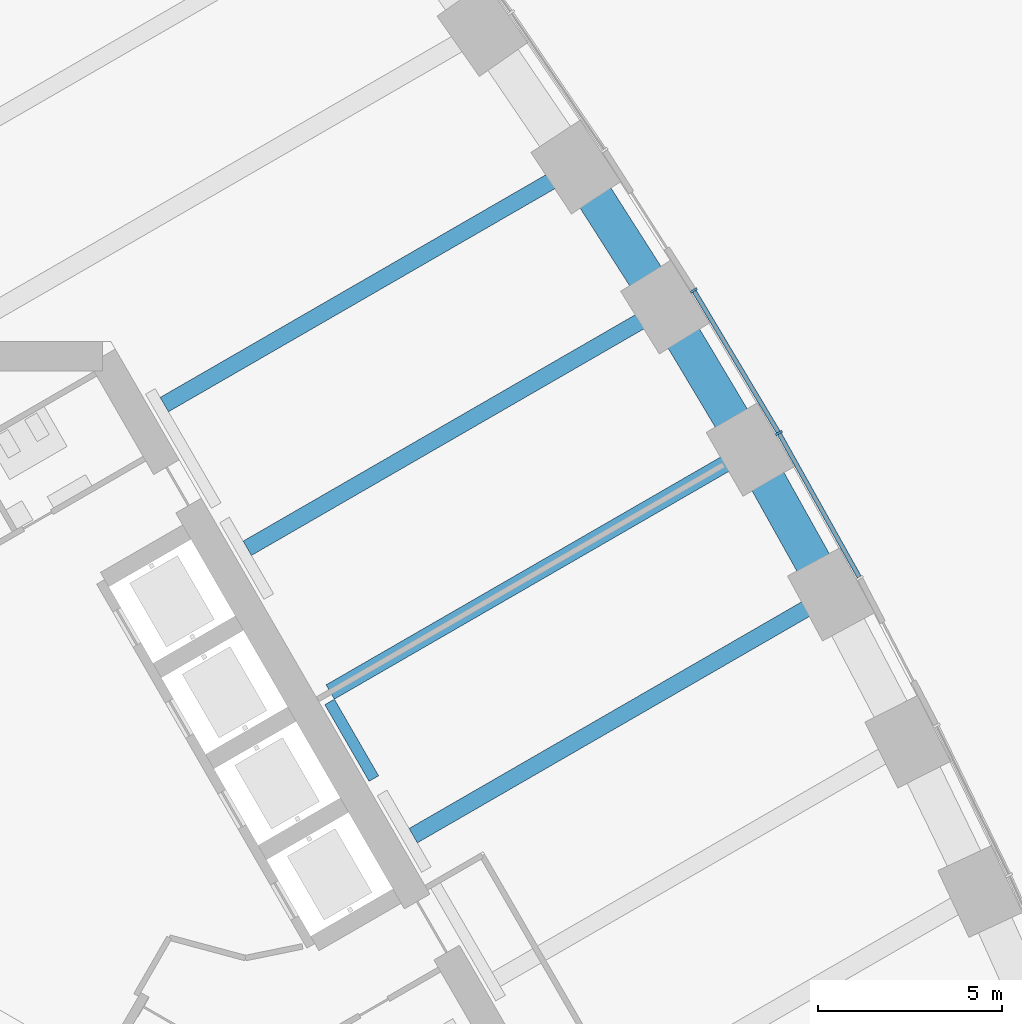
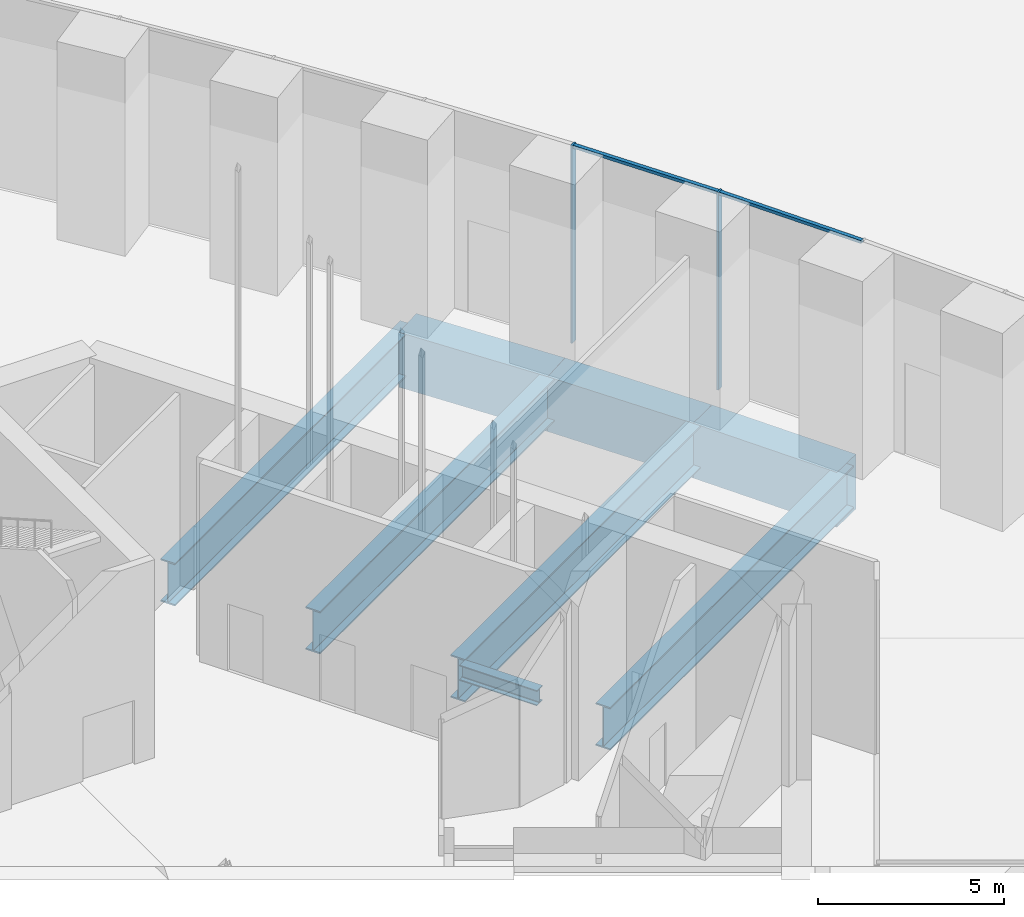
# One storey, part 9 of 43: 8 beams, 4 members, 1 element without a shape of its own.
"""IFC4 building model written with IfcOpenShell, lengths in metres."""

from ifc_helpers import new_model, si_unit, direction, frame, origin, origin_2d, place, context, subcontext, project, spatial, rectangle, i_section, extrude, material, material_profile, profile_set, type_object, element, aggregate, save


model = new_model("IFC4")

# Units and contexts
model_context = context("Model", 3, precision=1e-05, world=origin(), true_north=direction((0.0, 1.0)))
body_context = subcontext(model_context, "Body", "Model", "MODEL_VIEW")
ifc_project = project(units=[si_unit("LENGTHUNIT", "METRE"), si_unit("AREAUNIT", "SQUARE_METRE"), si_unit("VOLUMEUNIT", "CUBIC_METRE"), si_unit("PLANEANGLEUNIT", "RADIAN"), si_unit("MASSUNIT", "GRAM", prefix="KILO")], contexts=[model_context])

# Site, building, storey
site_placement = place(None, origin())
site = spatial("IfcSite", under=ifc_project, at=site_placement, CompositionType="ELEMENT")
building_placement = place(site_placement, origin())
building = spatial("IfcBuilding", under=site, at=building_placement, Name="Trefoil Bronze Tower", CompositionType="ELEMENT")
storey_placement = place(building_placement, origin())
storey = spatial("IfcBuildingStorey", under=building, at=storey_placement, Name="L00", CompositionType="ELEMENT", Elevation=0.0)

# Curtain wall, members
ifc_material_1 = material(Name="Tinted solar-control glass", Category="glass")
curtain_wall_type = type_object("IfcCurtainWallType", Name="Bronze podium storefront curtain wall", PredefinedType="USERDEFINED", material=ifc_material_1)
curtain_wall_placement = place(storey_placement, origin())
curtain_wall = element("IfcCurtainWall", 1, at=curtain_wall_placement, inside=storey, type_object=curtain_wall_type, Name="CW-C L00 F2 run 3", ObjectType="CURTAIN WALL", PredefinedType="USERDEFINED")
ifc_material_2 = material(Name="Bronze-finish aluminium", Category="aluminium")
ifc_material_profile_1 = material_profile(ifc_material_2, rectangle(XDim=0.199951171875, YDim=0.06005859375, at=origin_2d()), Name="CW-C mullion")
ifc_profile_set_1 = profile_set([ifc_material_profile_1], Name="Bronze-finish aluminium")
member_type_1 = type_object("IfcMemberType", Name="Bronze podium storefront curtain wall mullion", PredefinedType="MULLION", material=ifc_profile_set_1)
member_1_placement = place(storey_placement, frame((24.11767578125, 13.92431640625, 0.0), z_axis=(0.0, 0.0, 1.0), x_axis=(-0.866025403784, -0.5, 0.0)))
member_1 = element("IfcMember", 2, at=member_1_placement, type_object=member_type_1, Name="CW-C L00 F2 run 3 mullion 2", PredefinedType="MULLION", context=body_context, shape_type="SweptSolid", body=[
    extrude(rectangle(XDim=0.199951171875, YDim=0.06005859375, at=origin_2d()), origin(), (0.0, 0.0, 1.0), 6.47998046875),
])
member_2_placement = place(storey_placement, frame((21.810302734375, 17.7900390625, 0.0), z_axis=(0.0, 0.0, 1.0), x_axis=(-0.858679588639, -0.51251279404, 0.0)))
member_2 = element("IfcMember", 3, at=member_2_placement, type_object=member_type_1, Name="CW-C L00 F2 run 3 mullion 3", PredefinedType="MULLION", context=body_context, shape_type="SweptSolid", body=[
    extrude(rectangle(XDim=0.199951171875, YDim=0.06005859375, at=origin_2d()), origin(), (0.0, 0.0, 1.0), 6.47998046875),
])
ifc_material_3 = material(Name="Bronze-finish aluminium", Category="aluminium")
ifc_material_profile_2 = material_profile(ifc_material_3, rectangle(XDim=0.1201171875, YDim=0.10009765625, at=origin_2d()), Name="CW-C transom")
ifc_profile_set_2 = profile_set([ifc_material_profile_2], Name="Bronze-finish aluminium")
member_type_2 = type_object("IfcMemberType", Name="Bronze podium storefront curtain wall transom", PredefinedType="USERDEFINED", material=ifc_profile_set_2)
member_3_placement = place(storey_placement, frame((26.297119140625, 10.01953125, 6.429931640625), z_axis=(-0.487350560486, 0.873206408127, 0.0), x_axis=(-0.873206408127, -0.487350560486, 0.0)))
member_3 = element("IfcMember", 4, at=member_3_placement, type_object=member_type_2, Name="CW-C L00 F2 run 3 transom 1", ObjectType="TRANSOM", PredefinedType="USERDEFINED", context=body_context, shape_type="SweptSolid", body=[
    extrude(rectangle(XDim=0.1201171875, YDim=0.10009765625, at=origin_2d()), origin(), (0.0, 0.0, 1.0), 4.4404296875),
])
member_4_placement = place(storey_placement, frame((24.1015625, 13.951416015625, 6.429931640625), z_axis=(-0.512521589617, 0.858674338837, 0.0), x_axis=(-0.858674338837, -0.512521589617, 0.0)))
member_4 = element("IfcMember", 5, at=member_4_placement, type_object=member_type_2, Name="CW-C L00 F2 run 3 transom 2", ObjectType="TRANSOM", PredefinedType="USERDEFINED", context=body_context, shape_type="SweptSolid", body=[
    extrude(rectangle(XDim=0.1201171875, YDim=0.10009765625, at=origin_2d()), origin(), (0.0, 0.0, 1.0), 4.440673828125),
])
aggregate(curtain_wall, [member_1, member_2, member_3, member_4])

# Beams
ifc_material_4 = material(Name="Steel C355", Category="steel")
ifc_material_profile_3 = material_profile(ifc_material_4, i_section(OverallWidth=0.300048828125, OverallDepth=0.5, WebThickness=0.014404296875, FlangeThickness=0.028076171875, FilletRadius=0.027099609375, at=origin_2d()), Name="HEB 500")
ifc_profile_set_3 = profile_set([ifc_material_profile_3], Name="Steel C355")
beam_type_1 = type_object("IfcBeamType", Name="Core seat beam HEB 500", PredefinedType="BEAM", material=ifc_profile_set_3)
beam_1_placement = place(storey_placement, frame((13.1337890625, 4.5517578125, -0.550048828125), z_axis=(-0.500001309137, 0.866024647952, 0.0), x_axis=(-0.866024647952, -0.500001309137, 0.0)))
element("IfcBeam", 6, at=beam_1_placement, inside=storey, type_object=beam_type_1, Name="Core seat beam F2/+0 L00", PredefinedType="BEAM", context=body_context, shape_type="SweptSolid", body=[
    extrude(i_section(OverallWidth=0.300048828125, OverallDepth=0.5, WebThickness=0.014404296875, FlangeThickness=0.028076171875, FilletRadius=0.027099609375, at=origin_2d()), origin(), (0.0, 0.0, 1.0), 2.39990234375),
])
ifc_material_5 = material(Name="Steel C355", Category="steel")
ifc_material_profile_4 = material_profile(ifc_material_5, i_section(OverallWidth=0.449951171875, OverallDepth=1.39990234375, WebThickness=0.02294921875, FlangeThickness=0.044921875, FilletRadius=0.011962890625, at=origin_2d()), Name="WPG 1400")
ifc_profile_set_4 = profile_set([ifc_material_profile_4], Name="Steel C355")
beam_type_2 = type_object("IfcBeamType", Name="Floor beam WPG 1400", PredefinedType="BEAM", material=ifc_profile_set_4)
beam_2_placement = place(storey_placement, frame((25.531494140625, 9.54443359375, -1.0), z_axis=(-0.866027412898, -0.499996520097, 0.0), x_axis=(0.499996520097, -0.866027412898, 0.0)))
element("IfcBeam", 7, at=beam_2_placement, inside=storey, type_object=beam_type_2, Name="Floor beam F2/-1 L00", PredefinedType="BEAM", context=body_context, shape_type="SweptSolid", body=[
    extrude(i_section(OverallWidth=0.449951171875, OverallDepth=1.39990234375, WebThickness=0.02294921875, FlangeThickness=0.044921875, FilletRadius=0.011962890625, at=origin_2d()), origin(), (0.0, 0.0, 1.0), 13.0830078125),
])
beam_3_placement = place(storey_placement, frame((23.33837890625, 13.474365234375, -1.0), z_axis=(-0.866023564685, -0.5000031854, 0.0), x_axis=(0.5000031854, -0.866023564685, 0.0)))
element("IfcBeam", 8, at=beam_3_placement, inside=storey, type_object=beam_type_2, Name="Floor beam F2/+0 L00", PredefinedType="BEAM", context=body_context, shape_type="SweptSolid", body=[
    extrude(i_section(OverallWidth=0.449951171875, OverallDepth=1.39990234375, WebThickness=0.02294921875, FlangeThickness=0.044921875, FilletRadius=0.011962890625, at=origin_2d()), origin(), (0.0, 0.0, 1.0), 13.14892578125),
])
beam_4_placement = place(storey_placement, frame((21.031494140625, 17.338623046875, -1.0), z_axis=(-0.866027412898, -0.499996520097, 0.0), x_axis=(0.499996520097, -0.866027412898, 0.0)))
element("IfcBeam", 9, at=beam_4_placement, inside=storey, type_object=beam_type_2, Name="Floor beam F2/+1 L00", PredefinedType="BEAM", context=body_context, shape_type="SweptSolid", body=[
    extrude(i_section(OverallWidth=0.449951171875, OverallDepth=1.39990234375, WebThickness=0.02294921875, FlangeThickness=0.044921875, FilletRadius=0.011962890625, at=origin_2d()), origin(), (0.0, 0.0, 1.0), 13.0830078125),
])
beam_5_placement = place(storey_placement, frame((18.61083984375, 21.13720703125, -1.0), z_axis=(-0.866030989016, -0.499990325971, 0.0), x_axis=(0.499990325971, -0.866030989016, 0.0)))
element("IfcBeam", 10, at=beam_5_placement, inside=storey, type_object=beam_type_2, Name="Floor beam F2/+2 L00", PredefinedType="BEAM", context=body_context, shape_type="SweptSolid", body=[
    extrude(i_section(OverallWidth=0.449951171875, OverallDepth=1.39990234375, WebThickness=0.02294921875, FlangeThickness=0.044921875, FilletRadius=0.011962890625, at=origin_2d()), origin(), (0.0, 0.0, 1.0), 12.885986328125),
])
ifc_material_6 = material(Name="Concrete B80", Category="concrete")
ifc_material_profile_5 = material_profile(ifc_material_6, rectangle(XDim=1.0, YDim=1.800048828125, at=origin_2d()), Name="RC 1000x1800")
ifc_profile_set_5 = profile_set([ifc_material_profile_5], Name="Concrete B80")
beam_type_3 = type_object("IfcBeamType", Name="Spandrel beam RC 1000x1800", PredefinedType="SPANDREL", material=ifc_profile_set_5)
for number, where, z_axis, x_axis, name in (
    (11, (25.531494140625, 9.54443359375, -1.199951171875), (-0.487309404804, 0.873229376504, 0.0), (-0.873229376504, -0.487309404804, 0.0), "Spandrel F2.8 L00"),
    (12, (23.33837890625, 13.474365234375, -1.199951171875), (-0.512587831591, 0.858634797166, 0.0), (-0.858634797166, -0.512587831591, 0.0), "Spandrel F2.9 L00"),
):
    element("IfcBeam", number, at=place(storey_placement, frame(where, z_axis=z_axis, x_axis=x_axis)), inside=storey, type_object=beam_type_3, Name=name, PredefinedType="SPANDREL", context=body_context, shape_type="SweptSolid", body=[
        extrude(rectangle(XDim=1.0, YDim=1.800048828125, at=origin_2d()), origin(), (0.0, 0.0, 1.0), 4.50048828125),
    ])
beam_6_placement = place(storey_placement, frame((21.031494140625, 17.338623046875, -1.199951171875), z_axis=(-0.537408473305, 0.843322081307, 0.0), x_axis=(-0.843322081307, -0.537408473305, 0.0)))
element("IfcBeam", 13, at=beam_6_placement, inside=storey, type_object=beam_type_3, Name="Spandrel F2.10 L00", PredefinedType="SPANDREL", context=body_context, shape_type="SweptSolid", body=[
    extrude(rectangle(XDim=1.0, YDim=1.800048828125, at=origin_2d()), origin(), (0.0, 0.0, 1.0), 4.50439453125),
])

save(model, "model.ifc")
